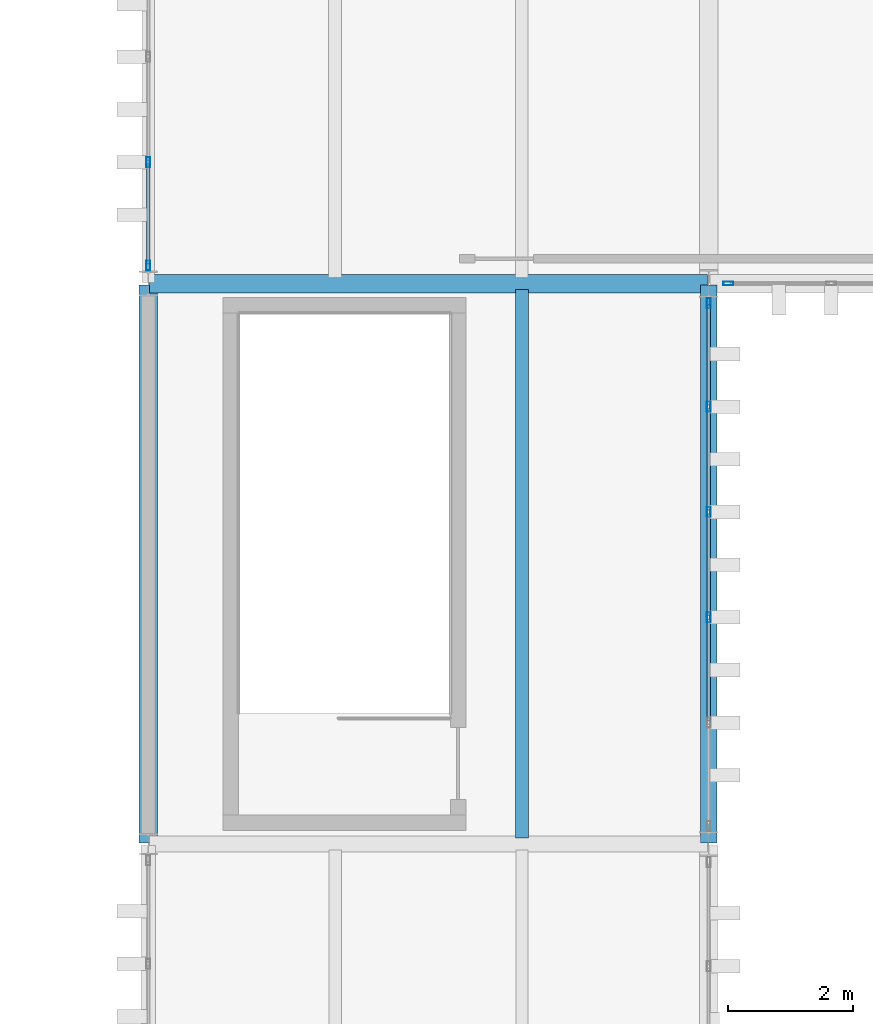
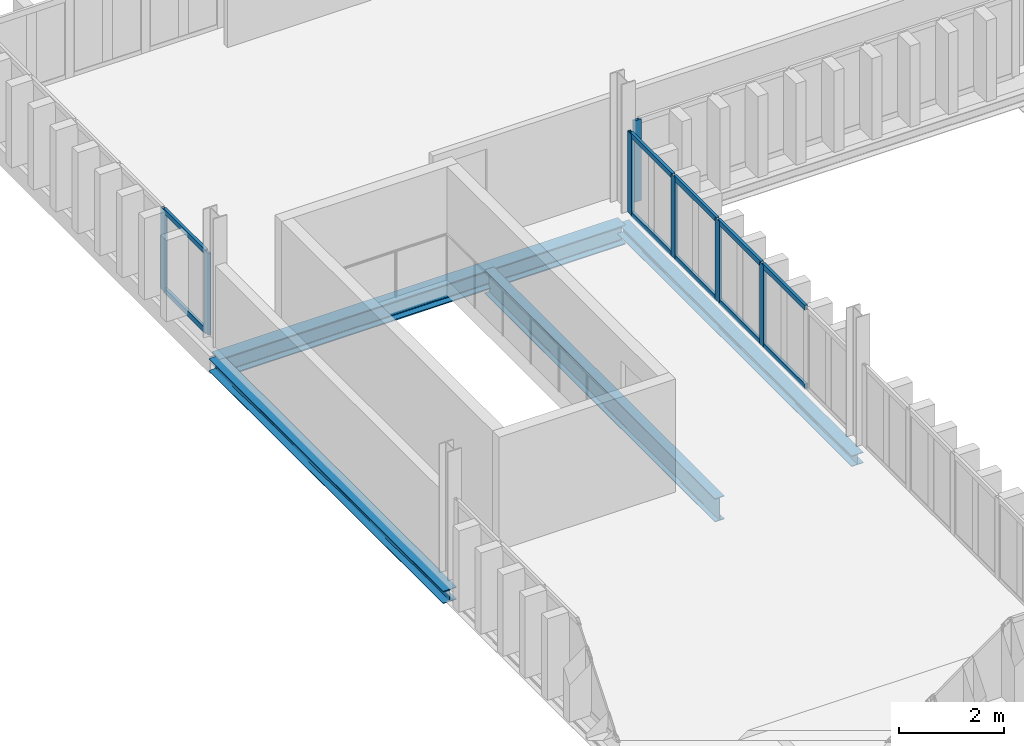
# One storey, part 27 of 58: 17 members, 4 beams, 3 elements without a shape of their own.
"""IFC4 building model written with IfcOpenShell, lengths in metres."""

from ifc_helpers import new_model, si_unit, direction, frame, origin, origin_2d, place, context, subcontext, project, spatial, hollow_rectangle, i_section, extrude, material, layer, layer_set, material_profile, profile_set, type_object, element, aggregate, save


model = new_model("IFC4")

# Units and contexts
model_context = context("Model", 3, precision=1e-05, world=origin(), true_north=direction((0.0, 1.0)))
body_context = subcontext(model_context, "Body", "Model", "MODEL_VIEW")
ifc_project = project(units=[si_unit("LENGTHUNIT", "METRE"), si_unit("AREAUNIT", "SQUARE_METRE"), si_unit("VOLUMEUNIT", "CUBIC_METRE"), si_unit("PLANEANGLEUNIT", "RADIAN"), si_unit("MASSUNIT", "GRAM", prefix="KILO")], contexts=[model_context])

# Site, building, storey
site_placement = place(None, origin())
site = spatial("IfcSite", under=ifc_project, at=site_placement, CompositionType="ELEMENT")
building_placement = place(site_placement, origin())
building = spatial("IfcBuilding", under=site, at=building_placement, Name="Barlavento Convention Centre", CompositionType="ELEMENT")
storey_placement = place(building_placement, frame((0.0, 0.0, 26.800048828125)))
storey = spatial("IfcBuildingStorey", under=building, at=storey_placement, Name="L05", CompositionType="ELEMENT", Elevation=26.800048828125)

# Curtain wall, member
ifc_material_1 = material(Name="Powder-coated aluminium and Low-E glass", Category="aluminium")
ifc_layer = layer(ifc_material_1, 0.18994140625)
ifc_layer_set = layer_set([ifc_layer], Name="ARC-CW-CONF-L05")
curtain_wall_type = type_object("IfcCurtainWallType", Name="ARC-CW-CONF-L05", PredefinedType="NOTDEFINED", material=ifc_layer_set)
curtain_wall_1_placement = place(storey_placement, origin())
curtain_wall_1 = element("IfcCurtainWall", 1, at=curtain_wall_1_placement, inside=storey, type_object=curtain_wall_type, Name="L05 unitised curtain wall CW10", PredefinedType="NOTDEFINED")
ifc_material_2 = material(Name="Powder-coated aluminium", Category="aluminium")
ifc_material_profile_1 = material_profile(ifc_material_2, hollow_rectangle(XDim=0.06005859375, YDim=0.159912109375, WallThickness=0.00390625, at=origin_2d()), Name="AL-MULL 60x160x4")
ifc_profile_set_1 = profile_set([ifc_material_profile_1], Name="Powder-coated aluminium")
member_type_1 = type_object("IfcMemberType", Name="ARC-CWM-60X160", PredefinedType="MULLION", material=ifc_profile_set_1)
member_1_placement = place(storey_placement, frame((135.31494140625, 90.0, 0.0), z_axis=(0.0, 0.0, 1.0), x_axis=(0.0, 1.0, 0.0)))
member_1 = element("IfcMember", 2, at=member_1_placement, type_object=member_type_1, Name="CW10 mullion 1", PredefinedType="MULLION", context=body_context, shape_type="SweptSolid", body=[
    extrude(hollow_rectangle(XDim=0.06005859375, YDim=0.159912109375, WallThickness=0.00390625, at=origin_2d()), origin(), (0.0, 0.0, 1.0), 1.89990234375),
])
aggregate(curtain_wall_1, [member_1])

# Curtain wall, members
curtain_wall_2_placement = place(storey_placement, origin())
curtain_wall_2 = element("IfcCurtainWall", 3, at=curtain_wall_2_placement, inside=storey, type_object=curtain_wall_type, Name="L05 unitised curtain wall CW10", PredefinedType="NOTDEFINED")
member_2_placement = place(storey_placement, frame((135.0, 84.64208984375, 0.0), z_axis=(0.0, 0.0, 1.0), x_axis=(-1.0, 0.0, 0.0)))
member_2 = element("IfcMember", 4, at=member_2_placement, type_object=member_type_1, Name="CW10 mullion 3", PredefinedType="MULLION", context=body_context, shape_type="SweptSolid", body=[
    extrude(hollow_rectangle(XDim=0.06005859375, YDim=0.159912109375, WallThickness=0.00390625, at=origin_2d()), origin(), (0.0, 0.0, 1.0), 1.89990234375),
])
member_3_placement = place(storey_placement, frame((135.0, 86.3330078125, 0.0), z_axis=(0.0, 0.0, 1.0), x_axis=(-1.0, 0.0, 0.0)))
member_3 = element("IfcMember", 5, at=member_3_placement, type_object=member_type_1, Name="CW10 mullion 4", PredefinedType="MULLION", context=body_context, shape_type="SweptSolid", body=[
    extrude(hollow_rectangle(XDim=0.06005859375, YDim=0.159912109375, WallThickness=0.00390625, at=origin_2d()), origin(), (0.0, 0.0, 1.0), 1.89990234375),
])
member_4_placement = place(storey_placement, frame((135.0, 88.02392578125, 0.0), z_axis=(0.0, 0.0, 1.0), x_axis=(-1.0, 0.0, 0.0)))
member_4 = element("IfcMember", 6, at=member_4_placement, type_object=member_type_1, Name="CW10 mullion 5", PredefinedType="MULLION", context=body_context, shape_type="SweptSolid", body=[
    extrude(hollow_rectangle(XDim=0.06005859375, YDim=0.159912109375, WallThickness=0.00390625, at=origin_2d()), origin(), (0.0, 0.0, 1.0), 1.89990234375),
])
member_5_placement = place(storey_placement, frame((135.0, 89.68505859375, 0.0), z_axis=(0.0, 0.0, 1.0), x_axis=(-1.0, 0.0, 0.0)))
member_5 = element("IfcMember", 7, at=member_5_placement, type_object=member_type_1, Name="CW10 mullion 6", PredefinedType="MULLION", context=body_context, shape_type="SweptSolid", body=[
    extrude(hollow_rectangle(XDim=0.06005859375, YDim=0.159912109375, WallThickness=0.00390625, at=origin_2d()), origin(), (0.0, 0.0, 1.0), 1.89990234375),
])

curtain_wall_3_placement = place(storey_placement, origin())
curtain_wall_3 = element("IfcCurtainWall", 8, at=curtain_wall_3_placement, inside=storey, type_object=curtain_wall_type, Name="L05 unitised curtain wall CW10", PredefinedType="NOTDEFINED")
member_6_placement = place(storey_placement, frame((126.0, 90.2900390625, 0.0), z_axis=(0.0, 0.0, 1.0), x_axis=(-1.0, 0.0, 0.0)))
member_6 = element("IfcMember", 9, at=member_6_placement, type_object=member_type_1, Name="CW10 mullion 1", PredefinedType="MULLION", context=body_context, shape_type="SweptSolid", body=[
    extrude(hollow_rectangle(XDim=0.06005859375, YDim=0.159912109375, WallThickness=0.00390625, at=origin_2d()), origin(), (0.0, 0.0, 1.0), 1.89990234375),
])
member_7_placement = place(storey_placement, frame((126.0, 91.950927734375, 0.0), z_axis=(0.0, 0.0, 1.0), x_axis=(-1.0, 0.0, 0.0)))
member_7 = element("IfcMember", 10, at=member_7_placement, type_object=member_type_1, Name="CW10 mullion 2", PredefinedType="MULLION", context=body_context, shape_type="SweptSolid", body=[
    extrude(hollow_rectangle(XDim=0.06005859375, YDim=0.159912109375, WallThickness=0.00390625, at=origin_2d()), origin(), (0.0, 0.0, 1.0), 1.89990234375),
])

# Member
ifc_material_profile_2 = material_profile(ifc_material_2, hollow_rectangle(XDim=0.06005859375, YDim=0.1201171875, WallThickness=0.00390625, at=origin_2d()), Name="AL-TRAN 60x120x4")
ifc_profile_set_2 = profile_set([ifc_material_profile_2], Name="Powder-coated aluminium")
member_type_2 = type_object("IfcMemberType", Name="ARC-CWT-60X120", PredefinedType="USERDEFINED", material=ifc_profile_set_2)
member_8_placement = place(storey_placement, frame((135.0, 82.98095703125, 0.030029296875), z_axis=(0.0, 1.0, 0.0), x_axis=(-1.0, 0.0, 0.0)))
member_8 = element("IfcMember", 11, at=member_8_placement, type_object=member_type_2, Name="CW10 transom 2.1", ObjectType="TRANSOM", PredefinedType="USERDEFINED", context=body_context, shape_type="SweptSolid", body=[
    extrude(hollow_rectangle(XDim=0.06005859375, YDim=0.1201171875, WallThickness=0.00390625, at=origin_2d()), origin(), (0.0, 0.0, 1.0), 1.631103515625),
])

member_9_placement = place(storey_placement, frame((135.0, 82.98095703125, 1.869873046875), z_axis=(0.0, 1.0, 0.0), x_axis=(-1.0, 0.0, 0.0)))
member_9 = element("IfcMember", 12, at=member_9_placement, type_object=member_type_2, Name="CW10 transom 2.2", ObjectType="TRANSOM", PredefinedType="USERDEFINED", context=body_context, shape_type="SweptSolid", body=[
    extrude(hollow_rectangle(XDim=0.06005859375, YDim=0.1201171875, WallThickness=0.00390625, at=origin_2d()), origin(), (0.0, 0.0, 1.0), 1.631103515625),
])

member_10_placement = place(storey_placement, frame((135.0, 84.672119140625, 0.030029296875), z_axis=(0.0, 1.0, 0.0), x_axis=(-1.0, 0.0, 0.0)))
member_10 = element("IfcMember", 13, at=member_10_placement, type_object=member_type_2, Name="CW10 transom 3.1", ObjectType="TRANSOM", PredefinedType="USERDEFINED", context=body_context, shape_type="SweptSolid", body=[
    extrude(hollow_rectangle(XDim=0.06005859375, YDim=0.1201171875, WallThickness=0.00390625, at=origin_2d()), origin(), (0.0, 0.0, 1.0), 1.630859375),
])

member_11_placement = place(storey_placement, frame((135.0, 84.672119140625, 1.869873046875), z_axis=(0.0, 1.0, 0.0), x_axis=(-1.0, 0.0, 0.0)))
member_11 = element("IfcMember", 14, at=member_11_placement, type_object=member_type_2, Name="CW10 transom 3.2", ObjectType="TRANSOM", PredefinedType="USERDEFINED", context=body_context, shape_type="SweptSolid", body=[
    extrude(hollow_rectangle(XDim=0.06005859375, YDim=0.1201171875, WallThickness=0.00390625, at=origin_2d()), origin(), (0.0, 0.0, 1.0), 1.630859375),
])

member_12_placement = place(storey_placement, frame((135.0, 86.363037109375, 0.030029296875), z_axis=(0.0, 1.0, 0.0), x_axis=(-1.0, 0.0, 0.0)))
member_12 = element("IfcMember", 15, at=member_12_placement, type_object=member_type_2, Name="CW10 transom 4.1", ObjectType="TRANSOM", PredefinedType="USERDEFINED", context=body_context, shape_type="SweptSolid", body=[
    extrude(hollow_rectangle(XDim=0.06005859375, YDim=0.1201171875, WallThickness=0.00390625, at=origin_2d()), origin(), (0.0, 0.0, 1.0), 1.630859375),
])

member_13_placement = place(storey_placement, frame((135.0, 86.363037109375, 1.869873046875), z_axis=(0.0, 1.0, 0.0), x_axis=(-1.0, 0.0, 0.0)))
member_13 = element("IfcMember", 16, at=member_13_placement, type_object=member_type_2, Name="CW10 transom 4.2", ObjectType="TRANSOM", PredefinedType="USERDEFINED", context=body_context, shape_type="SweptSolid", body=[
    extrude(hollow_rectangle(XDim=0.06005859375, YDim=0.1201171875, WallThickness=0.00390625, at=origin_2d()), origin(), (0.0, 0.0, 1.0), 1.630859375),
])

member_14_placement = place(storey_placement, frame((135.0, 88.053955078125, 0.030029296875), z_axis=(0.0, 1.0, 0.0), x_axis=(-1.0, 0.0, 0.0)))
member_14 = element("IfcMember", 17, at=member_14_placement, type_object=member_type_2, Name="CW10 transom 5.1", ObjectType="TRANSOM", PredefinedType="USERDEFINED", context=body_context, shape_type="SweptSolid", body=[
    extrude(hollow_rectangle(XDim=0.06005859375, YDim=0.1201171875, WallThickness=0.00390625, at=origin_2d()), origin(), (0.0, 0.0, 1.0), 1.60107421875),
])

member_15_placement = place(storey_placement, frame((135.0, 88.053955078125, 1.869873046875), z_axis=(0.0, 1.0, 0.0), x_axis=(-1.0, 0.0, 0.0)))
member_15 = element("IfcMember", 18, at=member_15_placement, type_object=member_type_2, Name="CW10 transom 5.2", ObjectType="TRANSOM", PredefinedType="USERDEFINED", context=body_context, shape_type="SweptSolid", body=[
    extrude(hollow_rectangle(XDim=0.06005859375, YDim=0.1201171875, WallThickness=0.00390625, at=origin_2d()), origin(), (0.0, 0.0, 1.0), 1.60107421875),
])

aggregate(curtain_wall_2, [member_2, member_3, member_4, member_5, member_8, member_9, member_10, member_11, member_12, member_13, member_14, member_15])

member_16_placement = place(storey_placement, frame((126.0, 90.320068359375, 0.030029296875), z_axis=(0.0, 1.0, 0.0), x_axis=(-1.0, 0.0, 0.0)))
member_16 = element("IfcMember", 19, at=member_16_placement, type_object=member_type_2, Name="CW10 transom 1.1", ObjectType="TRANSOM", PredefinedType="USERDEFINED", context=body_context, shape_type="SweptSolid", body=[
    extrude(hollow_rectangle(XDim=0.06005859375, YDim=0.1201171875, WallThickness=0.00390625, at=origin_2d()), origin(), (0.0, 0.0, 1.0), 1.600830078125),
])

member_17_placement = place(storey_placement, frame((126.0, 90.320068359375, 1.869873046875), z_axis=(0.0, 1.0, 0.0), x_axis=(-1.0, 0.0, 0.0)))
member_17 = element("IfcMember", 20, at=member_17_placement, type_object=member_type_2, Name="CW10 transom 1.2", ObjectType="TRANSOM", PredefinedType="USERDEFINED", context=body_context, shape_type="SweptSolid", body=[
    extrude(hollow_rectangle(XDim=0.06005859375, YDim=0.1201171875, WallThickness=0.00390625, at=origin_2d()), origin(), (0.0, 0.0, 1.0), 1.600830078125),
])

aggregate(curtain_wall_3, [member_6, member_7, member_16, member_17])

# Beams
ifc_material_3 = material(Name="Steel S355", Category="steel")
ifc_material_profile_3 = material_profile(ifc_material_3, i_section(OverallWidth=0.2099609375, OverallDepth=0.550048828125, WebThickness=0.010986328125, FlangeThickness=0.01708984375, FilletRadius=0.02392578125, at=origin_2d()), Name="IPE 550")
ifc_profile_set_3 = profile_set([ifc_material_profile_3], Name="Steel S355")
beam_type_1 = type_object("IfcBeamType", Name="STR-BM-JST-IPE550", PredefinedType="JOIST", material=ifc_profile_set_3)
beam_1_placement = place(storey_placement, frame((132.0, 81.094970703125, -0.635009765625), z_axis=(0.0, 1.0, 0.0), x_axis=(-1.0, 0.0, 0.0)))
element("IfcBeam", 21, at=beam_1_placement, inside=storey, type_object=beam_type_1, Name="L05 composite floor joist SJ01", PredefinedType="JOIST", context=body_context, shape_type="SweptSolid", body=[
    extrude(i_section(OverallWidth=0.2099609375, OverallDepth=0.550048828125, WebThickness=0.010986328125, FlangeThickness=0.01708984375, FilletRadius=0.02392578125, at=origin_2d()), origin(), (0.0, 0.0, 1.0), 8.81005859375),
])
ifc_material_profile_4 = material_profile(ifc_material_3, i_section(OverallWidth=0.300048828125, OverallDepth=0.449951171875, WebThickness=0.013916015625, FlangeThickness=0.02587890625, FilletRadius=0.027099609375, at=origin_2d()), Name="HEB 450")
ifc_profile_set_4 = profile_set([ifc_material_profile_4], Name="Steel S355")
beam_type_2 = type_object("IfcBeamType", Name="STR-BM-PRI-HEB450", PredefinedType="BEAM", material=ifc_profile_set_4)
beam_2_placement = place(storey_placement, frame((126.02001953125, 90.0, -0.5849609375), z_axis=(1.0, 0.0, 0.0), x_axis=(0.0, 1.0, 0.0)))
element("IfcBeam", 22, at=beam_2_placement, inside=storey, type_object=beam_type_2, Name="L05 primary girder BG10", PredefinedType="BEAM", context=body_context, shape_type="SweptSolid", body=[
    extrude(i_section(OverallWidth=0.300048828125, OverallDepth=0.449951171875, WebThickness=0.013916015625, FlangeThickness=0.02587890625, FilletRadius=0.027099609375, at=origin_2d()), origin(), (0.0, 0.0, 1.0), 8.9599609375),
])
ifc_material_profile_5 = material_profile(ifc_material_3, i_section(OverallWidth=0.260009765625, OverallDepth=0.25, WebThickness=0.007568359375, FlangeThickness=0.012451171875, FilletRadius=0.02392578125, at=origin_2d()), Name="HEA 260")
ifc_profile_set_5 = profile_set([ifc_material_profile_5], Name="Steel S355")
beam_type_3 = type_object("IfcBeamType", Name="STR-BM-SPN-HEA260", PredefinedType="SPANDREL", material=ifc_profile_set_5)
beam_3_placement = place(storey_placement, frame((135.0, 81.02001953125, -0.485107421875), z_axis=(0.0, 1.0, 0.0), x_axis=(-1.0, 0.0, 0.0)))
element("IfcBeam", 23, at=beam_3_placement, inside=storey, type_object=beam_type_3, Name="L05 grid girder SP04", PredefinedType="SPANDREL", context=body_context, shape_type="SweptSolid", body=[
    extrude(i_section(OverallWidth=0.260009765625, OverallDepth=0.25, WebThickness=0.007568359375, FlangeThickness=0.012451171875, FilletRadius=0.02392578125, at=origin_2d()), origin(), (0.0, 0.0, 1.0), 8.9599609375),
])
ifc_material_profile_6 = material_profile(ifc_material_3, i_section(OverallWidth=0.300048828125, OverallDepth=0.2900390625, WebThickness=0.008544921875, FlangeThickness=0.013916015625, FilletRadius=0.027099609375, at=origin_2d()), Name="HEA 300")
ifc_profile_set_6 = profile_set([ifc_material_profile_6], Name="Steel S355")
beam_type_4 = type_object("IfcBeamType", Name="STR-BM-SPN-HEA300", PredefinedType="SPANDREL", material=ifc_profile_set_6)
beam_4_placement = place(storey_placement, frame((126.0, 81.02001953125, -0.505126953125), z_axis=(0.0, 1.0, 0.0), x_axis=(-1.0, 0.0, 0.0)))
element("IfcBeam", 24, at=beam_4_placement, inside=storey, type_object=beam_type_4, Name="L05 grid girder SP02", PredefinedType="SPANDREL", context=body_context, shape_type="SweptSolid", body=[
    extrude(i_section(OverallWidth=0.300048828125, OverallDepth=0.2900390625, WebThickness=0.008544921875, FlangeThickness=0.013916015625, FilletRadius=0.027099609375, at=origin_2d()), origin(), (0.0, 0.0, 1.0), 8.9599609375),
])

save(model, "model.ifc")
